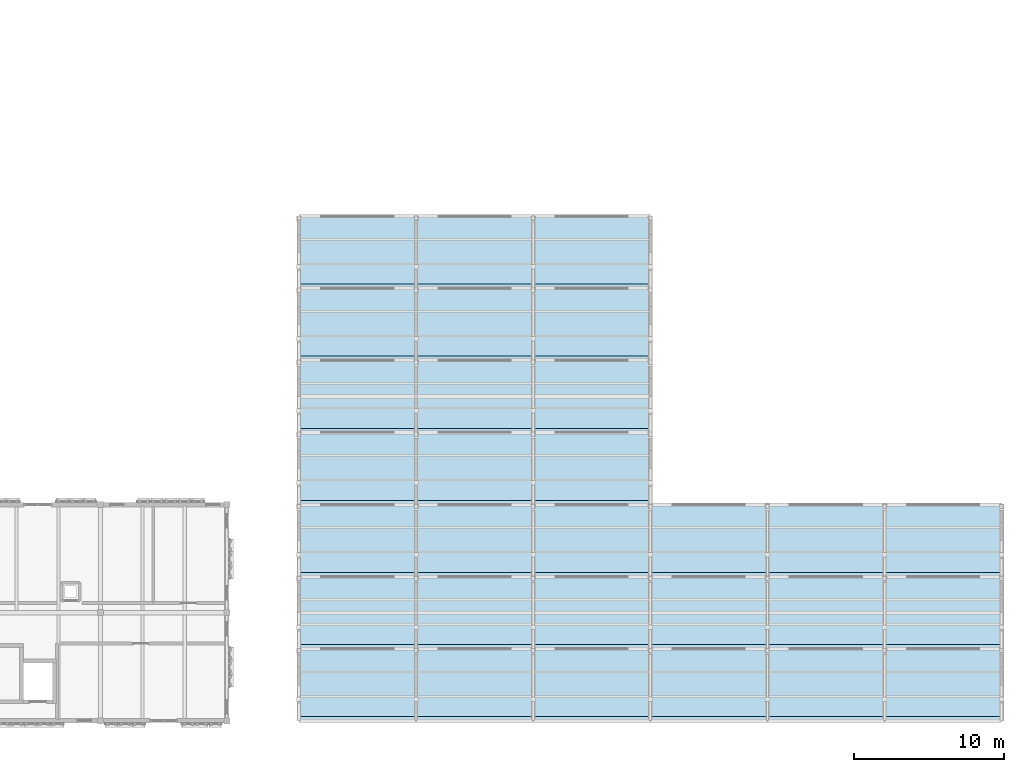
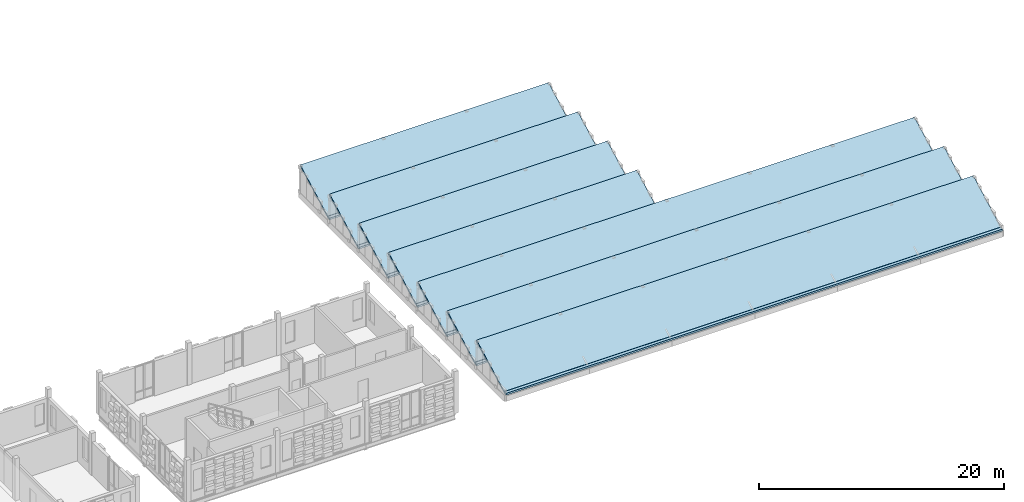
# One storey, part 41 of 81: 14 slabs.
"""IFC4 building model written with IfcOpenShell, lengths in metres."""

from ifc_helpers import new_model, si_unit, direction, frame, origin, place, context, subcontext, project, spatial, polyline, outline, extrude, material, layer, layer_set, type_object, element, save


model = new_model("IFC4")

# Units and contexts
model_context = context("Model", 3, precision=1e-05, world=origin(), true_north=direction((0.0, 1.0)))
body_context = subcontext(model_context, "Body", "Model", "MODEL_VIEW")
ifc_project = project(units=[si_unit("LENGTHUNIT", "METRE"), si_unit("AREAUNIT", "SQUARE_METRE"), si_unit("VOLUMEUNIT", "CUBIC_METRE"), si_unit("PLANEANGLEUNIT", "RADIAN"), si_unit("MASSUNIT", "GRAM", prefix="KILO")], contexts=[model_context])

# Site, building, storey
site_placement = place(None, origin())
site = spatial("IfcSite", under=ifc_project, at=site_placement, CompositionType="ELEMENT")
building_placement = place(site_placement, origin())
building = spatial("IfcBuilding", under=site, at=building_placement, Name="Kahlenmark Community Centre", CompositionType="ELEMENT")
storey_placement = place(building_placement, frame((0.0, 0.0, 9.60009765625)))
storey = spatial("IfcBuildingStorey", under=building, at=storey_placement, Name="L02", CompositionType="ELEMENT", Elevation=9.60009765625)

# Slabs
ifc_material = material(Name="Cross-laminated timber CLT C24", Category="wood")
ifc_layer_1 = layer(ifc_material, 0.159912109375)
ifc_layer_set_1 = layer_set([ifc_layer_1], Name="Cross-laminated timber CLT C24")
slab_type_1 = type_object("IfcSlabType", Name="ST-RF-CLT160", PredefinedType="ROOF", material=ifc_layer_set_1)
slab_1_placement = place(storey_placement, frame((121.60009765625, 9.080078125, 0.219970703125), z_axis=(0.0, -0.472208081951, 0.881487111273), x_axis=(1.0, 0.0, 0.0)))
element("IfcSlab", 1, at=slab_1_placement, inside=storey, type_object=slab_type_1, Name="Nursery sawtooth solar roof bay 1", PredefinedType="ROOF", context=body_context, shape_type="SweptSolid", body=[
    extrude(outline(polyline([(0.0, 0.0), (46.7998046875, 0.0), (46.7998046875, 5.082298324569132), (0.0, 5.082298324569132), (0.0, 0.0)])), origin(), (0.0, 0.0, -1.0), 0.159912109375),
])
slab_2_placement = place(storey_placement, frame((121.60009765625, 13.8798828125, 0.219970703125), z_axis=(0.0, -0.472188087314, 0.881497822004), x_axis=(1.0, 0.0, 0.0)))
element("IfcSlab", 2, at=slab_2_placement, inside=storey, type_object=slab_type_1, Name="Nursery sawtooth solar roof bay 2", PredefinedType="ROOF", context=body_context, shape_type="SweptSolid", body=[
    extrude(outline(polyline([(0.0, 0.0), (46.7998046875, 0.0), (46.7998046875, 5.082513532690898), (0.0, 5.082513532690898), (0.0, 0.0)])), origin(), (0.0, 0.0, -1.0), 0.159912109375),
])
slab_3_placement = place(storey_placement, frame((121.60009765625, 18.679931640625, 0.219970703125), z_axis=(0.0, -0.472208081951, 0.881487111273), x_axis=(1.0, 0.0, 0.0)))
element("IfcSlab", 3, at=slab_3_placement, inside=storey, type_object=slab_type_1, Name="Nursery sawtooth solar roof bay 3", PredefinedType="ROOF", context=body_context, shape_type="SweptSolid", body=[
    extrude(outline(polyline([(0.0, 0.0), (46.7998046875, 0.0), (46.7998046875, 5.082298324569132), (0.0, 5.082298324569132), (0.0, 0.0)])), origin(), (0.0, 0.0, -1.0), 0.159912109375),
])
for number, where, z_axis, x_axis, name in (
    (4, (121.60009765625, 23.47998046875, 0.219970703125), (0.0, -0.472208081951, 0.881487111273), (1.0, 0.0, 0.0), "Nursery sawtooth solar roof bay 4"),
    (5, (121.60009765625, 28.280029296875, 0.219970703125), (0.0, -0.472208081951, 0.881487111273), (1.0, 0.0, 0.0), "Nursery sawtooth solar roof bay 5"),
    (6, (121.60009765625, 33.080078125, 0.219970703125), (0.0, -0.472208081951, 0.881487111273), (1.0, 0.0, 0.0), "Nursery sawtooth solar roof bay 6"),
):
    element("IfcSlab", number, at=place(storey_placement, frame(where, z_axis=z_axis, x_axis=x_axis)), inside=storey, type_object=slab_type_1, Name=name, PredefinedType="ROOF", context=body_context, shape_type="SweptSolid", body=[
        extrude(outline(polyline([(0.0, 0.0), (23.39990234375, 0.0), (23.39990234375, 5.082298324569132), (0.0, 5.082298324569132), (0.0, 0.0)])), origin(), (0.0, 0.0, -1.0), 0.159912109375),
    ])
slab_4_placement = place(storey_placement, frame((121.60009765625, 37.8798828125, 0.219970703125), z_axis=(0.0, -0.472188087314, 0.881497822004), x_axis=(1.0, 0.0, 0.0)))
element("IfcSlab", 7, at=slab_4_placement, inside=storey, type_object=slab_type_1, Name="Nursery sawtooth solar roof bay 7", PredefinedType="ROOF", context=body_context, shape_type="SweptSolid", body=[
    extrude(outline(polyline([(0.0, 0.0), (23.39990234375, 0.0), (23.39990234375, 5.082513532690898), (0.0, 5.082513532690898), (0.0, 0.0)])), origin(), (0.0, 0.0, -1.0), 0.159912109375),
])
ifc_layer_2 = layer(ifc_material, 0.179931640625)
ifc_layer_set_2 = layer_set([ifc_layer_2], Name="Cross-laminated timber CLT C24")
slab_type_2 = type_object("IfcSlabType", Name="ST-RF-ORI180", PredefinedType="ROOF", material=ifc_layer_set_2)
slab_5_placement = place(storey_placement, frame((0.0, 0.0, 0.02001953125)))
element("IfcSlab", 8, at=slab_5_placement, inside=storey, type_object=slab_type_2, Name="Nursery sawtooth valley gutter 1", PredefinedType="ROOF", context=body_context, shape_type="SweptSolid", body=[
    extrude(outline(polyline([(121.60009765625, 8.780029296875), (168.39990234375, 8.780029296875), (168.39990234375, 9.080078125), (121.60009765625, 9.080078125), (121.60009765625, 8.780029296875)])), origin(), (0.0, 0.0, 1.0), 0.179931640625),
])
slab_6_placement = place(storey_placement, frame((0.0, 0.0, 0.02001953125)))
element("IfcSlab", 9, at=slab_6_placement, inside=storey, type_object=slab_type_2, Name="Nursery sawtooth valley gutter 2", PredefinedType="ROOF", context=body_context, shape_type="SweptSolid", body=[
    extrude(outline(polyline([(121.60009765625, 13.580078125), (168.39990234375, 13.580078125), (168.39990234375, 13.8798828125), (121.60009765625, 13.8798828125), (121.60009765625, 13.580078125)])), origin(), (0.0, 0.0, 1.0), 0.179931640625),
])
slab_7_placement = place(storey_placement, frame((0.0, 0.0, 0.02001953125)))
element("IfcSlab", 10, at=slab_7_placement, inside=storey, type_object=slab_type_2, Name="Nursery sawtooth valley gutter 3", PredefinedType="ROOF", context=body_context, shape_type="SweptSolid", body=[
    extrude(outline(polyline([(121.60009765625, 18.3798828125), (168.39990234375, 18.3798828125), (168.39990234375, 18.679931640625), (121.60009765625, 18.679931640625), (121.60009765625, 18.3798828125)])), origin(), (0.0, 0.0, 1.0), 0.179931640625),
])
slab_8_placement = place(storey_placement, frame((0.0, 0.0, 0.02001953125)))
element("IfcSlab", 11, at=slab_8_placement, inside=storey, type_object=slab_type_2, Name="Nursery sawtooth valley gutter 4", PredefinedType="ROOF", context=body_context, shape_type="SweptSolid", body=[
    extrude(outline(polyline([(121.60009765625, 23.179931640625), (145.0, 23.179931640625), (145.0, 23.47998046875), (121.60009765625, 23.47998046875), (121.60009765625, 23.179931640625)])), origin(), (0.0, 0.0, 1.0), 0.179931640625),
])
slab_9_placement = place(storey_placement, frame((0.0, 0.0, 0.02001953125)))
element("IfcSlab", 12, at=slab_9_placement, inside=storey, type_object=slab_type_2, Name="Nursery sawtooth valley gutter 5", PredefinedType="ROOF", context=body_context, shape_type="SweptSolid", body=[
    extrude(outline(polyline([(121.60009765625, 27.97998046875), (145.0, 27.97998046875), (145.0, 28.280029296875), (121.60009765625, 28.280029296875), (121.60009765625, 27.97998046875)])), origin(), (0.0, 0.0, 1.0), 0.179931640625),
])
slab_10_placement = place(storey_placement, frame((0.0, 0.0, 0.02001953125)))
element("IfcSlab", 13, at=slab_10_placement, inside=storey, type_object=slab_type_2, Name="Nursery sawtooth valley gutter 6", PredefinedType="ROOF", context=body_context, shape_type="SweptSolid", body=[
    extrude(outline(polyline([(121.60009765625, 32.780029296875), (145.0, 32.780029296875), (145.0, 33.080078125), (121.60009765625, 33.080078125), (121.60009765625, 32.780029296875)])), origin(), (0.0, 0.0, 1.0), 0.179931640625),
])
slab_11_placement = place(storey_placement, frame((0.0, 0.0, 0.02001953125)))
element("IfcSlab", 14, at=slab_11_placement, inside=storey, type_object=slab_type_2, Name="Nursery sawtooth valley gutter 7", PredefinedType="ROOF", context=body_context, shape_type="SweptSolid", body=[
    extrude(outline(polyline([(121.60009765625, 37.580078125), (145.0, 37.580078125), (145.0, 37.8798828125), (121.60009765625, 37.8798828125), (121.60009765625, 37.580078125)])), origin(), (0.0, 0.0, 1.0), 0.179931640625),
])

save(model, "model.ifc")
